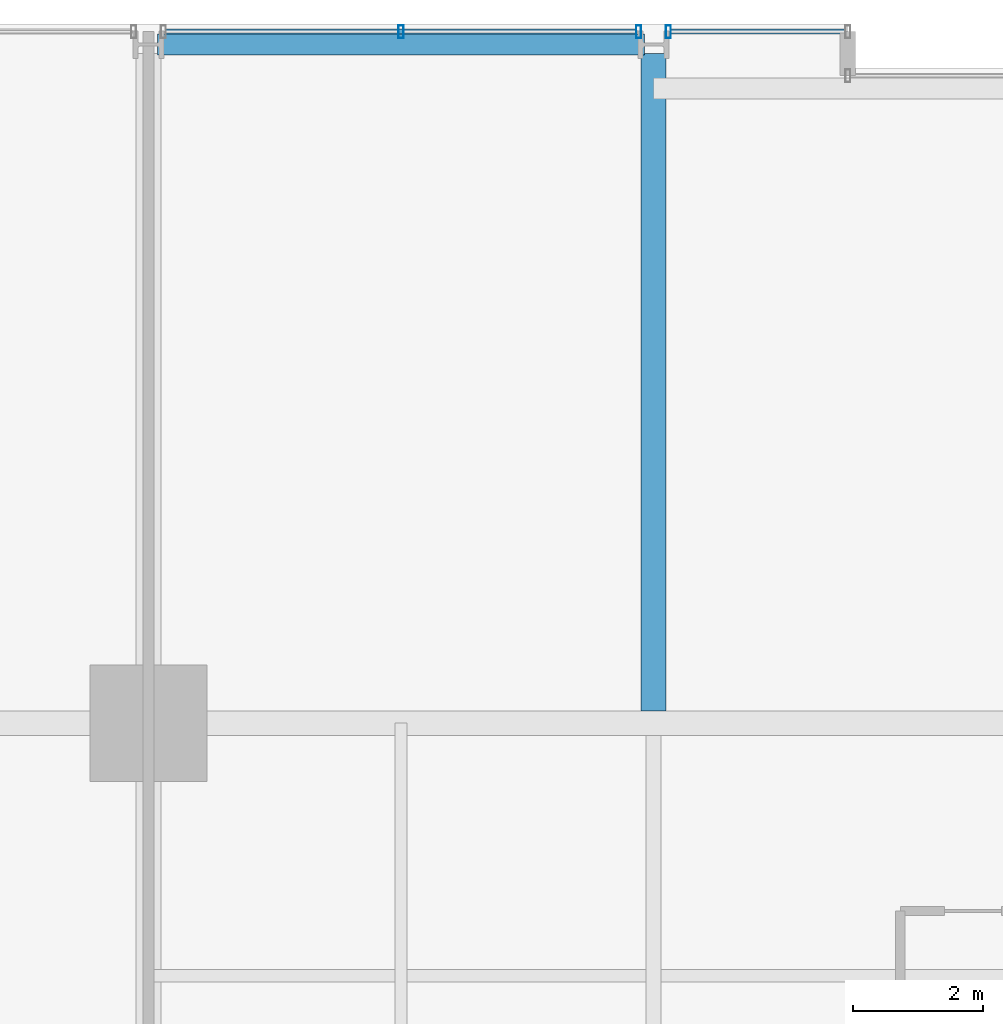
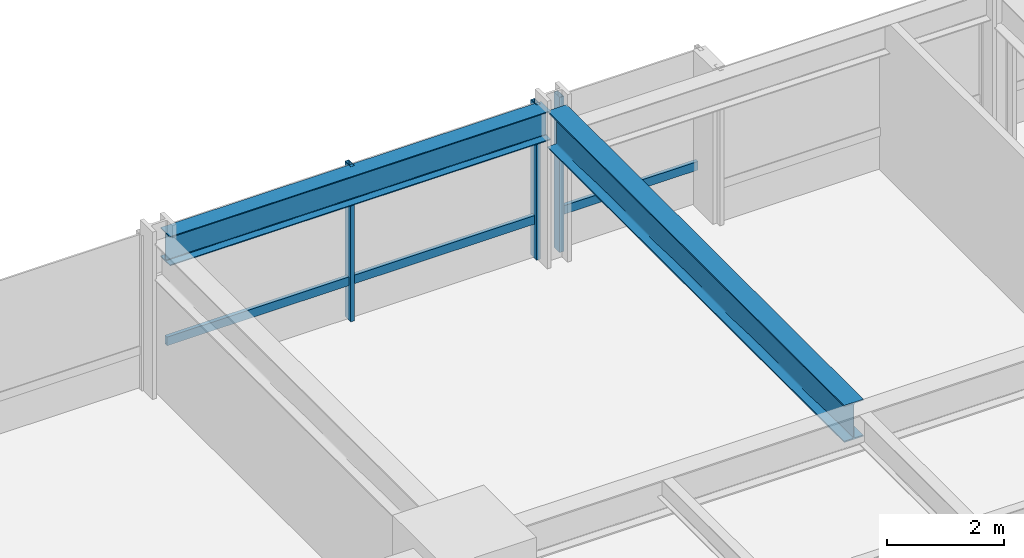
# One storey, part 22 of 37: 5 members, 2 beams, 2 elements without a shape of their own.
"""IFC4 building model written with IfcOpenShell, lengths in metres."""

from ifc_helpers import new_model, si_unit, direction, frame, origin, origin_2d, place, context, subcontext, project, spatial, hollow_rectangle, i_section, extrude, material, layer, layer_set, material_profile, profile_set, type_object, element, aggregate, save


model = new_model("IFC4")

# Units and contexts
model_context = context("Model", 3, precision=1e-05, world=origin(), true_north=direction((0.0, 1.0)))
body_context = subcontext(model_context, "Body", "Model", "MODEL_VIEW")
ifc_project = project(units=[si_unit("LENGTHUNIT", "METRE"), si_unit("AREAUNIT", "SQUARE_METRE"), si_unit("VOLUMEUNIT", "CUBIC_METRE"), si_unit("PLANEANGLEUNIT", "RADIAN"), si_unit("MASSUNIT", "GRAM", prefix="KILO")], contexts=[model_context])

# Site, building, storey
site_placement = place(None, origin())
site = spatial("IfcSite", under=ifc_project, at=site_placement, CompositionType="ELEMENT")
building_placement = place(site_placement, origin())
building = spatial("IfcBuilding", under=site, at=building_placement, Name="Drelvath Grand Hotel", CompositionType="ELEMENT")
storey_placement = place(building_placement, frame((0.0, 0.0, 75.199951171875)))
storey = spatial("IfcBuildingStorey", under=building, at=storey_placement, Name="L18", CompositionType="ELEMENT", Elevation=75.199951171875)

# Curtain wall, member
ifc_material_1 = material(Name="Warm Bronze Anodised Aluminium Frame", Category="aluminium")
ifc_layer = layer(ifc_material_1, 0.199951171875)
ifc_layer_set = layer_set([ifc_layer], Name="Warm Bronze Anodised Aluminium Frame")
curtain_wall_type = type_object("IfcCurtainWallType", Name="Stick Curtain Wall CW-02 Warm Bronze Low-Rise", PredefinedType="NOTDEFINED", material=ifc_layer_set)
curtain_wall_1_placement = place(storey_placement, origin())
curtain_wall_1 = element("IfcCurtainWall", 1, at=curtain_wall_1_placement, inside=storey, type_object=curtain_wall_type, Name="L18 CW-02 Curtain Wall CW02-L18-NW2", PredefinedType="NOTDEFINED")
ifc_material_profile_1 = material_profile(ifc_material_1, hollow_rectangle(XDim=0.074951171875, YDim=0.179931640625, WallThickness=0.0048828125, at=origin_2d()), Name="HSS180X75X5")
ifc_profile_set_1 = profile_set([ifc_material_profile_1], Name="Warm Bronze Anodised Aluminium Frame")
member_type_1 = type_object("IfcMemberType", Name="Curtain Wall Horizontal Transom CW-02 HSS180X75X5", PredefinedType="USERDEFINED", material=ifc_profile_set_1)
member_1_placement = place(storey_placement, frame((-15.930908203125, 53.8798828125, 0.81005859375), z_axis=(1.0, 0.0, 0.0), x_axis=(0.0, 1.0, 0.0)))
member_1 = element("IfcMember", 2, at=member_1_placement, type_object=member_type_1, Name="CW02-L18-NW2 Sill Transom", ObjectType="TRANSOM", PredefinedType="USERDEFINED", context=body_context, shape_type="SweptSolid", body=[
    extrude(hollow_rectangle(XDim=0.074951171875, YDim=0.179931640625, WallThickness=0.0048828125, at=origin_2d()), origin(), (0.0, 0.0, 1.0), 7.26171875),
])

curtain_wall_2_placement = place(storey_placement, origin())
curtain_wall_2 = element("IfcCurtainWall", 3, at=curtain_wall_2_placement, inside=storey, type_object=curtain_wall_type, Name="L18 CW-02 Curtain Wall CW02-L18-NW3", PredefinedType="NOTDEFINED")
member_2_placement = place(storey_placement, frame((-8.130859375, 53.8798828125, 0.81005859375), z_axis=(1.0, 0.0, 0.0), x_axis=(0.0, 1.0, 0.0)))
member_2 = element("IfcMember", 4, at=member_2_placement, type_object=member_type_1, Name="CW02-L18-NW3 Sill Transom", ObjectType="TRANSOM", PredefinedType="USERDEFINED", context=body_context, shape_type="SweptSolid", body=[
    extrude(hollow_rectangle(XDim=0.074951171875, YDim=0.179931640625, WallThickness=0.0048828125, at=origin_2d()), origin(), (0.0, 0.0, 1.0), 2.69091796875),
])

# Member
ifc_material_profile_2 = material_profile(ifc_material_1, hollow_rectangle(XDim=0.080078125, YDim=0.199951171875, WallThickness=0.0048828125, at=origin_2d()), Name="HSS200X80X5")
ifc_profile_set_2 = profile_set([ifc_material_profile_2], Name="Warm Bronze Anodised Aluminium Frame")
member_type_2 = type_object("IfcMemberType", Name="Curtain Wall Vertical Mullion CW-02 HSS200X80X5", PredefinedType="MULLION", material=ifc_profile_set_2)
member_3_placement = place(storey_placement, frame((-12.300048828125, 53.8798828125, 0.0), z_axis=(0.0, 0.0, 1.0), x_axis=(1.0, 0.0, 0.0)))
member_3 = element("IfcMember", 5, at=member_3_placement, type_object=member_type_2, Name="CW02-L18-NW2 Mullion 2", PredefinedType="MULLION", context=body_context, shape_type="SweptSolid", body=[
    extrude(hollow_rectangle(XDim=0.080078125, YDim=0.199951171875, WallThickness=0.0048828125, at=origin_2d()), origin(), (0.0, 0.0, 1.0), 3.239990234375),
])

member_4_placement = place(storey_placement, frame((-8.629150390625, 53.8798828125, 0.0), z_axis=(0.0, 0.0, 1.0), x_axis=(1.0, 0.0, 0.0)))
member_4 = element("IfcMember", 6, at=member_4_placement, type_object=member_type_2, Name="CW02-L18-NW2 Mullion 3", PredefinedType="MULLION", context=body_context, shape_type="SweptSolid", body=[
    extrude(hollow_rectangle(XDim=0.080078125, YDim=0.199951171875, WallThickness=0.0048828125, at=origin_2d()), origin(), (0.0, 0.0, 1.0), 3.239990234375),
])

aggregate(curtain_wall_1, [member_3, member_4, member_1])

member_5_placement = place(storey_placement, frame((-8.1708984375, 53.8798828125, 0.0), z_axis=(0.0, 0.0, 1.0), x_axis=(1.0, 0.0, 0.0)))
member_5 = element("IfcMember", 7, at=member_5_placement, type_object=member_type_2, Name="CW02-L18-NW3 Mullion 1", PredefinedType="MULLION", context=body_context, shape_type="SweptSolid", body=[
    extrude(hollow_rectangle(XDim=0.080078125, YDim=0.199951171875, WallThickness=0.0048828125, at=origin_2d()), origin(), (0.0, 0.0, 1.0), 3.239990234375),
])

aggregate(curtain_wall_2, [member_5, member_2])

# Beams
ifc_material_2 = material(Name="Steel ASTM A992 Gr 50", Category="steel")
ifc_material_profile_3 = material_profile(ifc_material_2, i_section(OverallWidth=0.323974609375, OverallDepth=0.611083984375, WebThickness=0.0126953125, FlangeThickness=0.01904296875, FilletRadius=0.02197265625, at=origin_2d()), Name="W24X104")
ifc_profile_set_3 = profile_set([ifc_material_profile_3], Name="Steel ASTM A992 Gr 50")
beam_type_1 = type_object("IfcBeamType", Name="Perimeter Spandrel Beam W24X104", PredefinedType="SPANDREL", material=ifc_profile_set_3)
beam_1_placement = place(storey_placement, frame((-16.06005859375, 53.679931640625, 2.9345703125), z_axis=(1.0, 0.0, 0.0), x_axis=(0.0, 1.0, 0.0)))
element("IfcBeam", 8, at=beam_1_placement, inside=storey, type_object=beam_type_1, Name="L18 Spandrel North W", PredefinedType="SPANDREL", context=body_context, shape_type="SweptSolid", body=[
    extrude(i_section(OverallWidth=0.323974609375, OverallDepth=0.611083984375, WebThickness=0.0126953125, FlangeThickness=0.01904296875, FilletRadius=0.02197265625, at=origin_2d()), origin(), (0.0, 0.0, 1.0), 7.52001953125),
])
ifc_material_profile_4 = material_profile(ifc_material_2, i_section(OverallWidth=0.380615234375, OverallDepth=0.773193359375, WebThickness=0.0166015625, FlangeThickness=0.027099609375, FilletRadius=0.02490234375, at=origin_2d()), Name="W30X173")
ifc_profile_set_4 = profile_set([ifc_material_profile_4], Name="Steel ASTM A992 Gr 50")
beam_type_2 = type_object("IfcBeamType", Name="Primary Floor Girder W30X173", PredefinedType="BEAM", material=ifc_profile_set_4)
beam_2_placement = place(storey_placement, frame((-8.39990234375, 43.390380859375, 2.853515625), z_axis=(0.0, 1.0, 0.0), x_axis=(-1.0, 0.0, 0.0)))
element("IfcBeam", 9, at=beam_2_placement, inside=storey, type_object=beam_type_2, Name="L18 North Wing Girder 4", PredefinedType="BEAM", context=body_context, shape_type="SweptSolid", body=[
    extrude(i_section(OverallWidth=0.380615234375, OverallDepth=0.773193359375, WebThickness=0.0166015625, FlangeThickness=0.027099609375, FilletRadius=0.02490234375, at=origin_2d()), origin(), (0.0, 0.0, 1.0), 10.149658203125),
])

save(model, "model.ifc")
